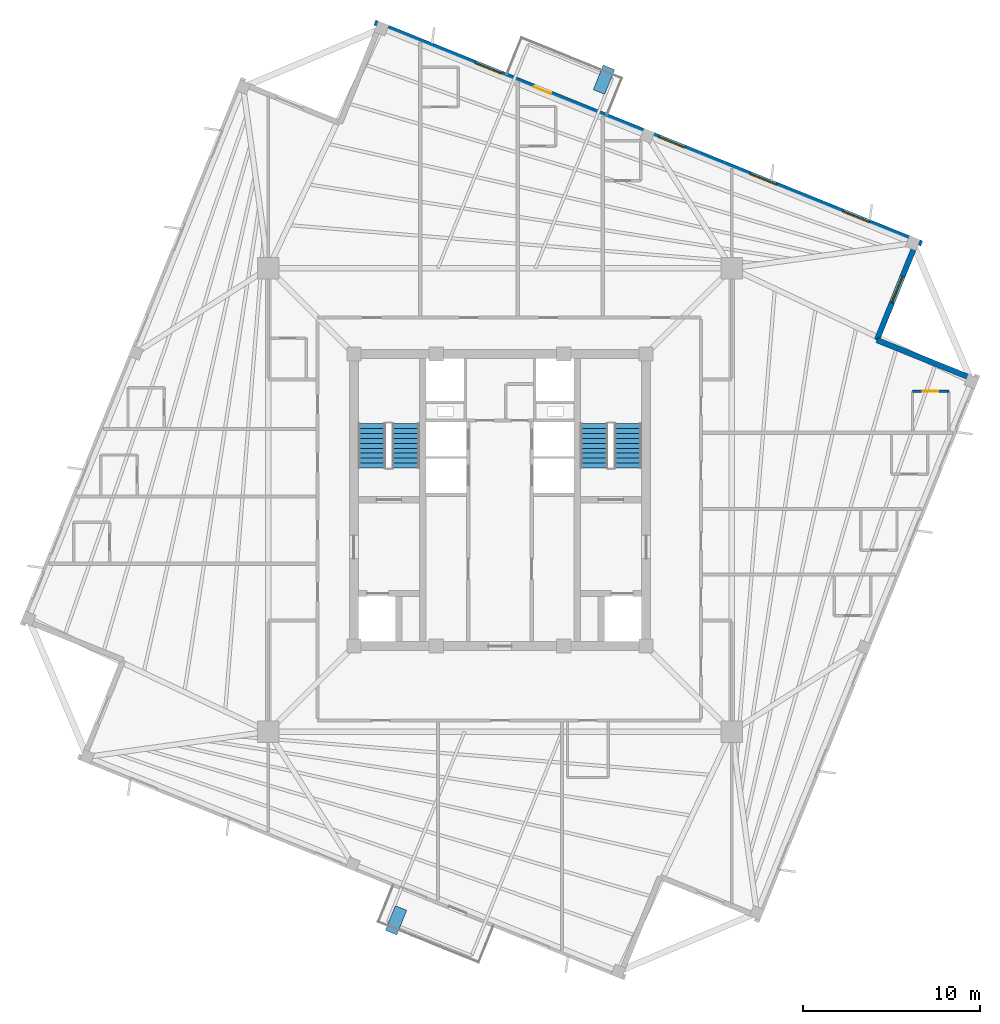
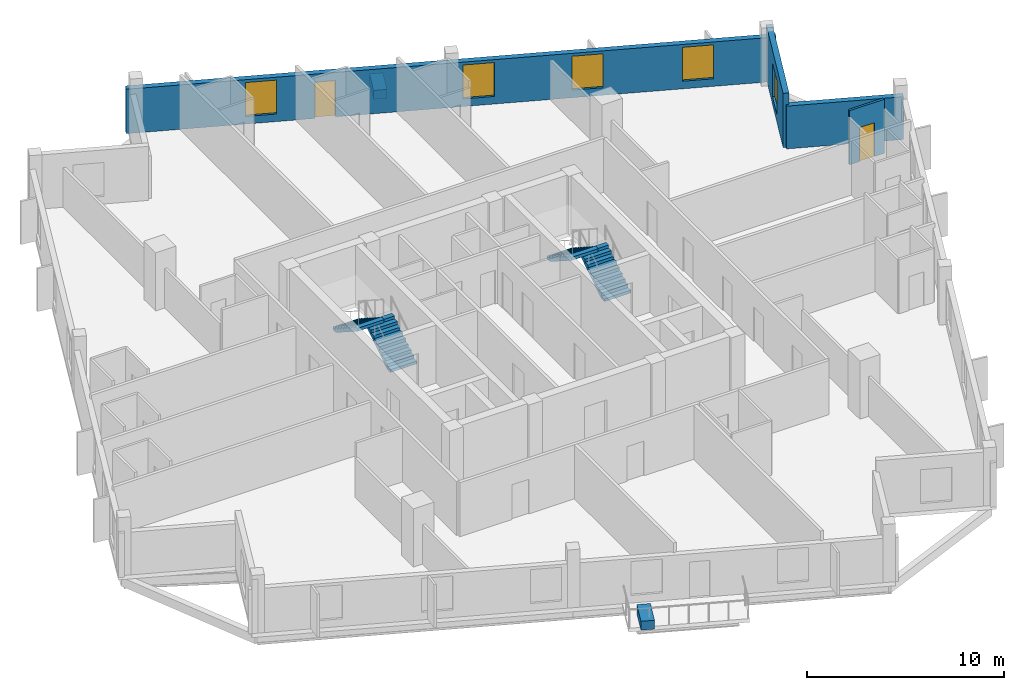
# One storey, part 6 of 9: 5 windows, 4 stair flights, 4 walls, 2 discrete accessories, 2 doors, 7 openings, 2 elements without a shape of their own.
"""IFC4 building model written with IfcOpenShell, lengths in metres."""

from ifc_helpers import new_model, si_unit, direction, frame, frame_2d, origin, origin_2d, place, context, subcontext, project, spatial, polyline, rectangle, outline, extrude, source, transform, mapped, material, layer, layer_set, type_object, element, fill, aggregate, save


model = new_model("IFC4")

# Units and contexts
model_context = context("Model", 3, precision=1e-05, world=origin(), true_north=direction((0.0, 1.0)))
body_context = subcontext(model_context, "Body", "Model", "MODEL_VIEW")
ifc_project = project(units=[si_unit("LENGTHUNIT", "METRE"), si_unit("AREAUNIT", "SQUARE_METRE"), si_unit("VOLUMEUNIT", "CUBIC_METRE"), si_unit("PLANEANGLEUNIT", "RADIAN"), si_unit("MASSUNIT", "GRAM", prefix="KILO"), si_unit("THERMODYNAMICTEMPERATUREUNIT", "KELVIN")], contexts=[model_context])

# Site, building, storey
site_placement = place(None, origin())
site = spatial("IfcSite", under=ifc_project, at=site_placement, CompositionType="ELEMENT")
building_placement = place(site_placement, origin())
building = spatial("IfcBuilding", under=site, at=building_placement, Name="Kosmvard Interchange Tower", CompositionType="ELEMENT")
storey_placement = place(building_placement, frame((0.0, 0.0, 297.60009765625)))
storey = spatial("IfcBuildingStorey", under=building, at=storey_placement, Name="L73", CompositionType="ELEMENT", Elevation=297.60009765625)

# Wall
ifc_material_1 = material(Name="Precast concrete C45/55", Category="concrete")
ifc_layer_1 = layer(ifc_material_1, 0.31005859375, Name="Precast concrete C45/55")
ifc_layer_set_1 = layer_set([ifc_layer_1], Name="Precast concrete C45/55")
wall_type_1 = type_object("IfcWallType", Name="Upper Tower Precast Pier Wall 310 C45/55", PredefinedType="STANDARD", material=ifc_layer_set_1)
wall_1_placement = place(storey_placement, frame((26.8408203125, 6.7841796875, 0.0), z_axis=(0.0, 0.0, 1.0), x_axis=(-0.927171722085, 0.374636620962, 0.0)))
element("IfcWall", 1, at=wall_1_placement, inside=storey, type_object=wall_type_1, Name="L73 Precast Facade Wall N-SE1", PredefinedType="STANDARD", context=body_context, shape_type="SweptSolid", body=[
    extrude(rectangle(XDim=6.0, YDim=0.31005859375, at=frame_2d((3.0, 0.0))), origin(), (0.0, 0.0, 1.0), 2.64990234375),
])

# Wall, opening, window
wall_2_placement = place(storey_placement, frame((21.27783203125, 9.031982421875, 0.0), z_axis=(0.0, 0.0, 1.0), x_axis=(0.374602739196, 0.927185411764, 0.0)))
wall_2 = element("IfcWall", 2, at=wall_2_placement, inside=storey, type_object=wall_type_1, Name="L73 Precast Facade Wall N-SE2", PredefinedType="STANDARD", context=body_context, shape_type="SweptSolid", body=[
    extrude(rectangle(XDim=6.155029296875, YDim=0.31005859375, at=frame_2d((3.07763671875, 0.0))), origin(), (0.0, 0.0, 1.0), 3.349853515625),
])
opening_1_placement = place(wall_2_placement, frame((2.277587890625, 0.0, 0.469970703125)))
opening_1 = element("IfcOpeningElement", 3, at=opening_1_placement, cuts=wall_2, Name="Opening L73-W19", PredefinedType="OPENING", context=body_context, shape_type="SweptSolid", body=[
    extrude(rectangle(XDim=1.60009765625, YDim=2.10009765625, at=frame_2d((0.800048828125, 1.050048828125))), frame((0.0, 0.1650390625, 0.0), z_axis=(0.0, -1.0, 0.0), x_axis=(1.0, 0.0, 0.0)), (0.0, 0.0, 1.0), 0.330078125),
])
ifc_material_2 = material(Name="Low-E acoustic double glazing", Category="glass")
window_type = type_object("IfcWindowType", Name="Zone 5 Hotel Punched Window 1600x2100", PartitioningType="SINGLE_PANEL", PredefinedType="WINDOW", material=ifc_material_2)
shared_shape_1 = source(origin(), body_context, "Body", "SweptSolid", [
    extrude(rectangle(XDim=1.60009765625, YDim=2.10009765625, at=frame_2d((0.800048828125, 1.050048828125))), frame((0.0, 0.030029296875, 0.0), z_axis=(0.0, -1.0, 0.0), x_axis=(1.0, 0.0, 0.0)), (0.0, 0.0, 1.0), 0.06005859375),
])
window_1_placement = place(opening_1_placement, origin())
window_1 = element("IfcWindow", 4, at=window_1_placement, inside=storey, type_object=window_type, Name="L73 Corner Notch Window 19", OverallHeight=2.10009765625, OverallWidth=1.60009765625, PartitioningType="SINGLE_PANEL", PredefinedType="WINDOW", context=body_context, shape_type="MappedRepresentation", body=[
    mapped(shared_shape_1, transform((0.0, 0.0, 0.0), scale=1.0)),
])
fill(opening_1, window_1)

# Wall, openings, door, windows
wall_3_placement = place(storey_placement, frame((23.812744140625, 14.478759765625, 0.0), z_axis=(0.0, 0.0, 1.0), x_axis=(-0.927182657188, 0.374609557019, 0.0)))
wall_3 = element("IfcWall", 5, at=wall_3_placement, inside=storey, type_object=wall_type_1, Name="L73 Precast Facade Wall F-E", PredefinedType="STANDARD", context=body_context, shape_type="SweptSolid", body=[
    extrude(rectangle(XDim=33.31005859375, YDim=0.31005859375, at=frame_2d((16.655029296875, 0.0))), origin(), (0.0, 0.0, 1.0), 2.75),
])
opening_2_placement = place(wall_3_placement, frame((22.580078125, 0.0, 0.0)))
opening_2 = element("IfcOpeningElement", 6, at=opening_2_placement, cuts=wall_3, Name="Opening L73-BDE", PredefinedType="OPENING", context=body_context, shape_type="SweptSolid", body=[
    extrude(rectangle(XDim=1.050048828125, YDim=2.25, at=frame_2d((0.52490234375, 1.125))), frame((0.0, 0.1650390625, 0.0), z_axis=(0.0, -1.0, 0.0), x_axis=(1.0, 0.0, 0.0)), (0.0, 0.0, 1.0), 0.330078125),
])
opening_3_placement = place(wall_3_placement, frame((3.197265625, 0.0, 0.469970703125)))
opening_3 = element("IfcOpeningElement", 7, at=opening_3_placement, cuts=wall_3, Name="Opening L73-W05", PredefinedType="OPENING", context=body_context, shape_type="SweptSolid", body=[
    extrude(rectangle(XDim=1.60009765625, YDim=2.10009765625, at=frame_2d((0.800048828125, 1.050048828125))), frame((0.0, 0.1650390625, 0.0), z_axis=(0.0, -1.0, 0.0), x_axis=(1.0, 0.0, 0.0)), (0.0, 0.0, 1.0), 0.330078125),
])
opening_4_placement = place(wall_3_placement, frame((8.85986328125, 0.0, 0.469970703125)))
opening_4 = element("IfcOpeningElement", 8, at=opening_4_placement, cuts=wall_3, Name="Opening L73-W06", PredefinedType="OPENING", context=body_context, shape_type="SweptSolid", body=[
    extrude(rectangle(XDim=1.60009765625, YDim=2.10009765625, at=frame_2d((0.800048828125, 1.050048828125))), frame((0.0, 0.1650390625, 0.0), z_axis=(0.0, -1.0, 0.0), x_axis=(1.0, 0.0, 0.0)), (0.0, 0.0, 1.0), 0.330078125),
])
opening_5_placement = place(wall_3_placement, frame((14.438720703125, 0.0, 0.469970703125)))
opening_5 = element("IfcOpeningElement", 9, at=opening_5_placement, cuts=wall_3, Name="Opening L73-W07", PredefinedType="OPENING", context=body_context, shape_type="SweptSolid", body=[
    extrude(rectangle(XDim=1.60009765625, YDim=2.10009765625, at=frame_2d((0.800048828125, 1.050048828125))), frame((0.0, 0.1650390625, 0.0), z_axis=(0.0, -1.0, 0.0), x_axis=(1.0, 0.0, 0.0)), (0.0, 0.0, 1.0), 0.330078125),
])
opening_6_placement = place(wall_3_placement, frame((25.5966796875, 0.0, 0.469970703125)))
opening_6 = element("IfcOpeningElement", 10, at=opening_6_placement, cuts=wall_3, Name="Opening L73-W08", PredefinedType="OPENING", context=body_context, shape_type="SweptSolid", body=[
    extrude(rectangle(XDim=1.60009765625, YDim=2.10009765625, at=frame_2d((0.800048828125, 1.050048828125))), frame((0.0, 0.1650390625, 0.0), z_axis=(0.0, -1.0, 0.0), x_axis=(1.0, 0.0, 0.0)), (0.0, 0.0, 1.0), 0.330078125),
])
ifc_material_3 = material(Name="Anodised aluminium and safety glass", Category="aluminium")
door_type_1 = type_object("IfcDoorType", Name="Tree-Balcony Glazed Door 1050x2250", OperationType="NOTDEFINED", PredefinedType="DOOR", material=ifc_material_3)
shared_shape_2 = source(origin(), body_context, "Body", "SweptSolid", [
    extrude(rectangle(XDim=1.050048828125, YDim=2.25, at=frame_2d((0.52490234375, 1.125))), frame((0.0, 0.02490234375, 0.0), z_axis=(0.0, -1.0, 0.0), x_axis=(1.0, 0.0, 0.0)), (0.0, 0.0, 1.0), 0.050048828125),
])
door_1_placement = place(opening_2_placement, origin())
door_1 = element("IfcDoor", 11, at=door_1_placement, inside=storey, type_object=door_type_1, Name="L73 Tree-Balcony Door BAL-L73-E", OperationType="SINGLE_SWING_RIGHT", OverallHeight=2.25, OverallWidth=1.050048828125, PredefinedType="DOOR", context=body_context, shape_type="MappedRepresentation", body=[
    mapped(shared_shape_2, transform((0.0, 0.0, 0.0), scale=1.0)),
])
fill(opening_2, door_1)
window_2_placement = place(opening_3_placement, origin())
window_2 = element("IfcWindow", 12, at=window_2_placement, inside=storey, type_object=window_type, Name="L73 Facade Punched Window 05", OverallHeight=2.10009765625, OverallWidth=1.60009765625, PartitioningType="SINGLE_PANEL", PredefinedType="WINDOW", context=body_context, shape_type="MappedRepresentation", body=[
    mapped(shared_shape_1, transform((0.0, 0.0, 0.0), scale=1.0)),
])
fill(opening_3, window_2)
window_3_placement = place(opening_4_placement, origin())
window_3 = element("IfcWindow", 13, at=window_3_placement, inside=storey, type_object=window_type, Name="L73 Facade Punched Window 06", OverallHeight=2.10009765625, OverallWidth=1.60009765625, PartitioningType="SINGLE_PANEL", PredefinedType="WINDOW", context=body_context, shape_type="MappedRepresentation", body=[
    mapped(shared_shape_1, transform((0.0, 0.0, 0.0), scale=1.0)),
])
fill(opening_4, window_3)
window_4_placement = place(opening_5_placement, origin())
window_4 = element("IfcWindow", 14, at=window_4_placement, inside=storey, type_object=window_type, Name="L73 Facade Punched Window 07", OverallHeight=2.10009765625, OverallWidth=1.60009765625, PartitioningType="SINGLE_PANEL", PredefinedType="WINDOW", context=body_context, shape_type="MappedRepresentation", body=[
    mapped(shared_shape_1, transform((0.0, 0.0, 0.0), scale=1.0)),
])
fill(opening_5, window_4)
window_5_placement = place(opening_6_placement, origin())
window_5 = element("IfcWindow", 15, at=window_5_placement, inside=storey, type_object=window_type, Name="L73 Facade Punched Window 08", OverallHeight=2.10009765625, OverallWidth=1.60009765625, PartitioningType="SINGLE_PANEL", PredefinedType="WINDOW", context=body_context, shape_type="MappedRepresentation", body=[
    mapped(shared_shape_1, transform((0.0, 0.0, 0.0), scale=1.0)),
])
fill(opening_6, window_5)

# Wall, opening, door
ifc_material_4 = material(Name="Moisture-resistant gypsum partition")
ifc_layer_2 = layer(ifc_material_4, 0.135009765625, Name="Moisture-resistant gypsum partition")
ifc_layer_set_2 = layer_set([ifc_layer_2], Name="Moisture-resistant gypsum partition")
wall_type_2 = type_object("IfcWallType", Name="Wet Room Moisture-Resistant Partition 135", PredefinedType="PARTITIONING", material=ifc_layer_set_2)
wall_4_placement = place(storey_placement, frame((23.29150390625, 6.139892578125, 0.0), z_axis=(0.0, 0.0, 1.0), x_axis=(1.0, 0.0, 0.0)))
wall_4 = element("IfcWall", 16, at=wall_4_placement, inside=storey, type_object=wall_type_2, Name="L73 En-Suite Partition HCS2-N", PredefinedType="PARTITIONING", context=body_context, shape_type="SweptSolid", body=[
    extrude(rectangle(XDim=2.050048828125, YDim=0.135009765625, at=frame_2d((1.02490234375, 0.0))), origin(), (0.0, 0.0, 1.0), 3.349853515625),
])
opening_7_placement = place(wall_4_placement, frame((0.5849609375, 0.0, 0.0)))
opening_7 = element("IfcOpeningElement", 17, at=opening_7_placement, cuts=wall_4, Name="Opening L73-ED15", PredefinedType="OPENING", context=body_context, shape_type="SweptSolid", body=[
    extrude(rectangle(XDim=0.8798828125, YDim=2.10009765625, at=frame_2d((0.43994140625, 1.050048828125))), frame((0.0, 0.07763671875, 0.0), z_axis=(0.0, -1.0, 0.0), x_axis=(1.0, 0.0, 0.0)), (0.0, 0.0, 1.0), 0.155029296875),
])
ifc_material_5 = material(Name="Laminated moisture-resistant timber", Category="wood")
door_type_2 = type_object("IfcDoorType", Name="En-Suite & Washroom Door 880x2100", OperationType="NOTDEFINED", PredefinedType="DOOR", material=ifc_material_5)
shared_shape_3 = source(origin(), body_context, "Body", "SweptSolid", [
    extrude(rectangle(XDim=0.8798828125, YDim=2.10009765625, at=frame_2d((0.43994140625, 1.050048828125))), frame((0.0, 0.02490234375, 0.0), z_axis=(0.0, -1.0, 0.0), x_axis=(1.0, 0.0, 0.0)), (0.0, 0.0, 1.0), 0.050048828125),
])
door_2_placement = place(opening_7_placement, frame((0.8798828125, 0.0, 0.0), z_axis=(0.0, 0.0, 1.0), x_axis=(-1.0, 0.0, 0.0)))
door_2 = element("IfcDoor", 18, at=door_2_placement, inside=storey, type_object=door_type_2, Name="L73 HCS2 En-Suite Door", OperationType="SINGLE_SWING_RIGHT", OverallHeight=2.10009765625, OverallWidth=0.8798828125, PredefinedType="DOOR", context=body_context, shape_type="MappedRepresentation", body=[
    mapped(shared_shape_3, transform((0.0, 0.0, 0.0), scale=1.0)),
])
fill(opening_7, door_2)

# Stair, stair flights
ifc_material_6 = material(Name="Concrete C50/60", Category="concrete")
stair_type = type_object("IfcStairType", Name="Dog-Leg Core Exit Stair H3600 C50/60", PredefinedType="HALF_TURN_STAIR", material=ifc_material_6)
stair_1_placement = place(storey_placement, origin())
stair_1 = element("IfcStair", 19, at=stair_1_placement, inside=storey, type_object=stair_type, Name="L73 Protected Exit Stair ST-1", PredefinedType="HALF_TURN_STAIR")
stair_flight_type = type_object("IfcStairFlightType", Name="Core Stair Flight W1550 H3600 C50/60", PredefinedType="STRAIGHT", material=ifc_material_6)
shared_shape_4 = source(origin(), body_context, "Body", "SweptSolid", [
    extrude(outline(polyline([(0.0, 0.0), (0.0, 0.179931640625), (0.280029296875, 0.179931640625), (0.280029296875, 0.360107421875), (0.56005859375, 0.360107421875), (0.56005859375, 0.5400390625), (0.840087890625, 0.5400390625), (0.840087890625, 0.719970703125), (1.1201171875, 0.719970703125), (1.1201171875, 0.89990234375), (1.39990234375, 0.89990234375), (1.39990234375, 1.080078125), (1.679931640625, 1.080078125), (1.679931640625, 1.260009765625), (1.9599609375, 1.260009765625), (1.9599609375, 1.43994140625), (2.239990234375, 1.43994140625), (2.239990234375, 1.6201171875), (2.52001953125, 1.6201171875), (2.52001953125, 1.800048828125), (2.52001953125, 1.429931640625), (0.295654296875, 0.0), (0.0, 0.0)])), frame((0.0, 0.77490234375, 0.0), z_axis=(0.0, -1.0, 0.0), x_axis=(1.0, 0.0, 0.0)), (0.0, 0.0, 1.0), 1.550048828125),
])
stair_flight_1_placement = place(storey_placement, frame((-5.31494140625, 1.800048828125, 0.0), z_axis=(0.0, 0.0, 1.0), x_axis=(0.0, 1.0, 0.0)))
stair_flight_1 = element("IfcStairFlight", 20, at=stair_flight_1_placement, type_object=stair_flight_type, Name="ST-1 flight 1", NumberOfRisers=10, NumberOfTreads=9, PredefinedType="STRAIGHT", RiserHeight=0.18, TreadLength=0.28, context=body_context, shape_type="MappedRepresentation", body=[
    mapped(shared_shape_4, transform((0.0, 0.0, 0.0), scale=1.0)),
])
stair_flight_2_placement = place(storey_placement, frame((-7.22509765625, 4.320068359375, 1.7998046875), z_axis=(0.0, 0.0, 1.0), x_axis=(0.0, -1.0, 0.0)))
stair_flight_2 = element("IfcStairFlight", 21, at=stair_flight_2_placement, type_object=stair_flight_type, Name="ST-1 flight 2", NumberOfRisers=10, NumberOfTreads=9, PredefinedType="STRAIGHT", RiserHeight=0.18, TreadLength=0.28, context=body_context, shape_type="MappedRepresentation", body=[
    mapped(shared_shape_4, transform((0.0, 0.0, 0.0), scale=1.0)),
])
aggregate(stair_1, [stair_flight_1, stair_flight_2])

stair_2_placement = place(storey_placement, origin())
stair_2 = element("IfcStair", 22, at=stair_2_placement, inside=storey, type_object=stair_type, Name="L73 Protected Exit Stair ST-2", PredefinedType="HALF_TURN_STAIR")
stair_flight_3_placement = place(storey_placement, frame((7.22509765625, 1.800048828125, 0.0), z_axis=(0.0, 0.0, 1.0), x_axis=(0.0, 1.0, 0.0)))
stair_flight_3 = element("IfcStairFlight", 23, at=stair_flight_3_placement, type_object=stair_flight_type, Name="ST-2 flight 1", NumberOfRisers=10, NumberOfTreads=9, PredefinedType="STRAIGHT", RiserHeight=0.18, TreadLength=0.28, context=body_context, shape_type="MappedRepresentation", body=[
    mapped(shared_shape_4, transform((0.0, 0.0, 0.0), scale=1.0)),
])
stair_flight_4_placement = place(storey_placement, frame((5.31494140625, 4.320068359375, 1.7998046875), z_axis=(0.0, 0.0, 1.0), x_axis=(0.0, -1.0, 0.0)))
stair_flight_4 = element("IfcStairFlight", 24, at=stair_flight_4_placement, type_object=stair_flight_type, Name="ST-2 flight 2", NumberOfRisers=10, NumberOfTreads=9, PredefinedType="STRAIGHT", RiserHeight=0.18, TreadLength=0.28, context=body_context, shape_type="MappedRepresentation", body=[
    mapped(shared_shape_4, transform((0.0, 0.0, 0.0), scale=1.0)),
])
aggregate(stair_2, [stair_flight_3, stair_flight_4])

# Discrete accessories
ifc_material_7 = material(Name="Terracotta precast planter concrete C45/55", Category="masonry")
discrete_accessory_type = type_object("IfcDiscreteAccessoryType", Name="Precast Tree-Balcony & Terrace Planter Box", PredefinedType="USERDEFINED", material=ifc_material_7)
shared_shape_5 = source(origin(), body_context, "Body", "SweptSolid", [
    extrude(rectangle(XDim=1.5, YDim=0.699951171875, at=origin_2d()), origin(), (0.0, 0.0, 1.0), 0.550048828125),
])
for number, where, z_axis, x_axis, name in (
    (25, (5.86669921875, 23.730224609375, 0.0), (0.0, 0.0, 1.0), (0.374606593416, 0.927183854567, 0.0), "L73 Balcony Tree Planter BAL-L73-E"),
    (26, (-5.86669921875, -23.730224609375, 0.0), (0.0, 0.0, 1.0), (0.374606593416, 0.927183854567, 0.0), "L73 Balcony Tree Planter BAL-L73-W"),
):
    element("IfcDiscreteAccessory", number, at=place(storey_placement, frame(where, z_axis=z_axis, x_axis=x_axis)), inside=storey, type_object=discrete_accessory_type, Name=name, ObjectType="PLANTER", PredefinedType="USERDEFINED", context=body_context, shape_type="MappedRepresentation", body=[
        mapped(shared_shape_5, transform((0.0, 0.0, 0.0), scale=1.0)),
    ])

save(model, "model.ifc")
